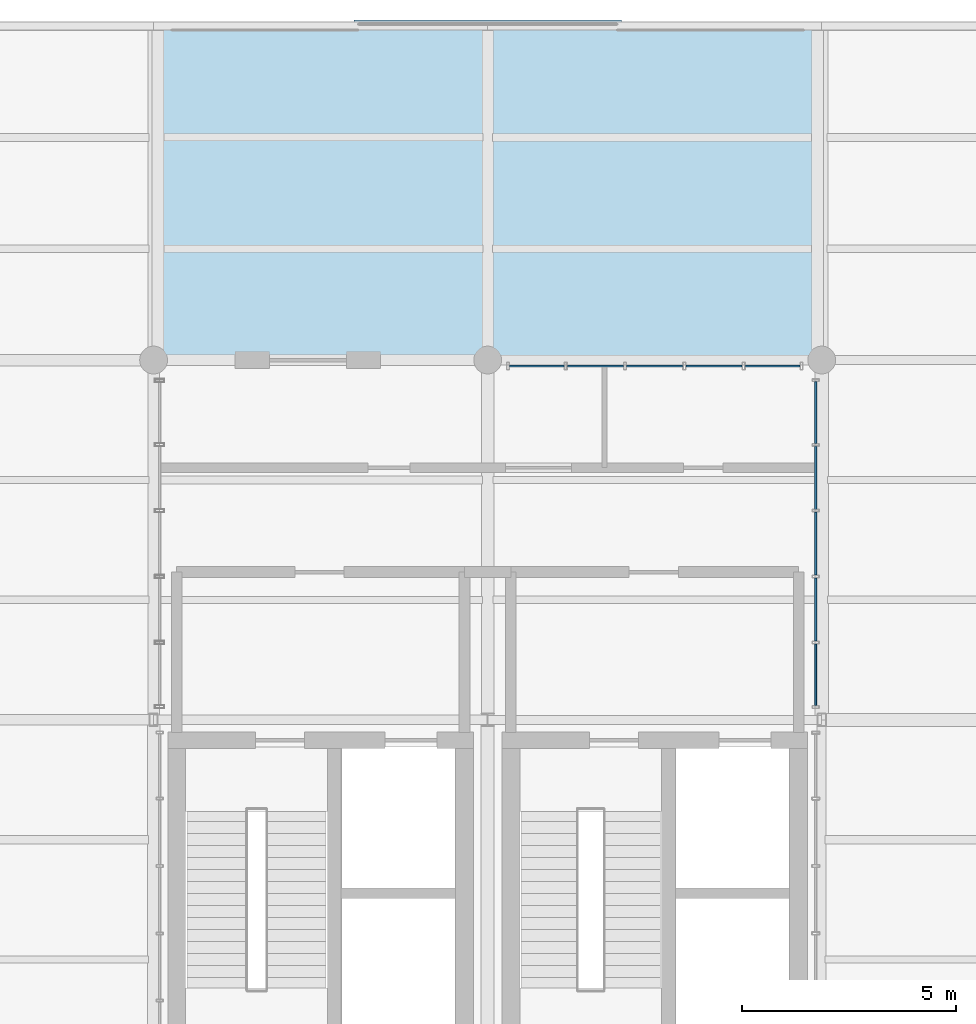
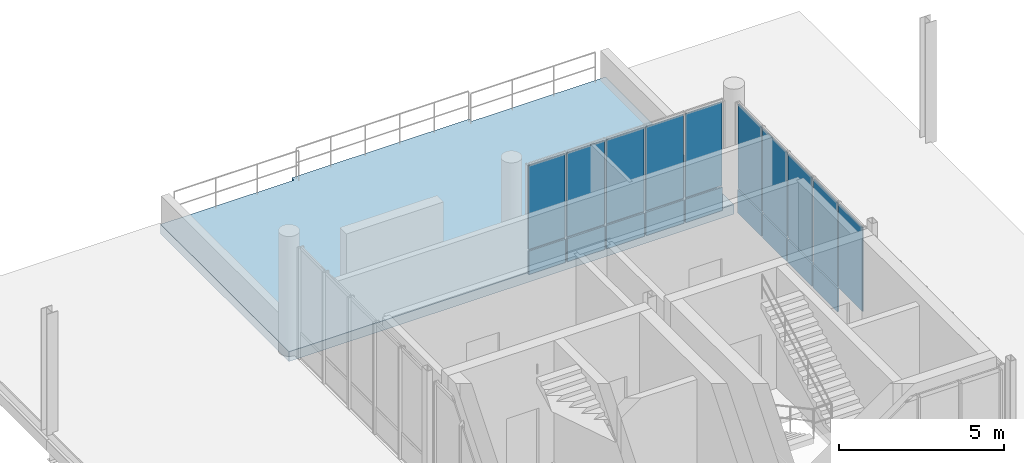
# One storey, part 55 of 66: 19 plates, 1 slab, 2 elements without a shape of their own.
"""IFC4 building model written with IfcOpenShell, lengths in metres."""

from ifc_helpers import new_model, si_unit, direction, frame, frame_2d, origin_with_axes, place, context, subcontext, project, spatial, polyline, rectangle, outline, extrude, material, layer, layer_set, type_object, element, aggregate, save


model = new_model("IFC4")

# Units and contexts
model_context = context("Model", 3, precision=1e-05, world=origin_with_axes(), true_north=direction((0.0, 1.0)))
body_context = subcontext(model_context, "Body", "Model", "MODEL_VIEW")
ifc_project = project(units=[si_unit("LENGTHUNIT", "METRE"), si_unit("AREAUNIT", "SQUARE_METRE"), si_unit("VOLUMEUNIT", "CUBIC_METRE"), si_unit("PLANEANGLEUNIT", "RADIAN"), si_unit("MASSUNIT", "GRAM", prefix="KILO"), si_unit("THERMODYNAMICTEMPERATUREUNIT", "KELVIN")], contexts=[model_context])

# Site, building, storey
site_placement = place(None, origin_with_axes())
site = spatial("IfcSite", under=ifc_project, at=site_placement, CompositionType="ELEMENT")
building_placement = place(site_placement, origin_with_axes())
building = spatial("IfcBuilding", under=site, at=building_placement, Name="Montbau Bow Law Courts", CompositionType="ELEMENT")
storey_placement = place(building_placement, frame((0.0, 0.0, 34.5), z_axis=(0.0, 0.0, 1.0), x_axis=(1.0, 0.0, 0.0)))
storey = spatial("IfcBuildingStorey", under=building, at=storey_placement, Name="L07", CompositionType="ELEMENT", Elevation=34.5)

# Curtain wall, plates
ifc_material_1 = material(Name="Thermally Broken Extruded Aluminium AA 6063-T6", Category="aluminium")
curtain_wall_type = type_object("IfcCurtainWallType", Name="CW-NCK-03", PredefinedType="NOTDEFINED", material=ifc_material_1)
curtain_wall_1_placement = place(None, frame((155.24, 103.06, 34.5), z_axis=(0.0, 0.0, 1.0), x_axis=(1.0, 0.0, 0.0)))
curtain_wall_1 = element("IfcCurtainWall", 1, at=curtain_wall_1_placement, inside=storey, type_object=curtain_wall_type, Name="CW-L07-367:cw_0367", PredefinedType="NOTDEFINED")
ifc_material_2 = material(Name="Insulated Ceramic-Frit Spandrel Glazing Unit", Category="glass")
ifc_layer_1 = layer(ifc_material_2, 0.056, Name="Curtain Panel", Category="glass")
ifc_layer_set_1 = layer_set([ifc_layer_1], Name="Insulated Ceramic-Frit Spandrel Glazing Unit")
plate_type_1 = type_object("IfcPlateType", Name="PL-CWP-02", PredefinedType="CURTAIN_PANEL", material=ifc_layer_set_1)
plate_1_placement = place(None, frame((155.308, 103.06, 34.558), z_axis=(0.0, -1.0, 0.0), x_axis=(1.0, 0.0, 0.0)))
plate_1 = element("IfcPlate", 2, at=plate_1_placement, type_object=plate_type_1, Name="CW-L07-367-P01-1:cw_0367_P01_1", PredefinedType="CURTAIN_PANEL", context=body_context, shape_type="SweptSolid", body=[
    extrude(rectangle(XDim=1.281, YDim=0.862, at=frame_2d((0.6405, 0.431), x_axis=(1.0, 0.0))), frame((0.0, 0.0, -0.028), z_axis=(0.0, 0.0, 1.0), x_axis=(1.0, 0.0, 0.0)), (0.0, 0.0, 1.0), 0.056),
])
plate_2_placement = place(None, frame((156.658, 103.06, 34.558), z_axis=(0.0, -1.0, 0.0), x_axis=(1.0, 0.0, 0.0)))
plate_2 = element("IfcPlate", 3, at=plate_2_placement, type_object=plate_type_1, Name="CW-L07-367-P02-1:cw_0367_P02_1", PredefinedType="CURTAIN_PANEL", context=body_context, shape_type="SweptSolid", body=[
    extrude(rectangle(XDim=1.315, YDim=0.862, at=frame_2d((0.6575, 0.431), x_axis=(1.0, 0.0))), frame((0.0, 0.0, -0.028), z_axis=(0.0, 0.0, 1.0), x_axis=(1.0, 0.0, 0.0)), (0.0, 0.0, 1.0), 0.056),
])
plate_3_placement = place(None, frame((158.042, 103.06, 34.558), z_axis=(0.0, -1.0, 0.0), x_axis=(1.0, 0.0, 0.0)))
plate_3 = element("IfcPlate", 4, at=plate_3_placement, type_object=plate_type_1, Name="CW-L07-367-P03-1:cw_0367_P03_1", PredefinedType="CURTAIN_PANEL", context=body_context, shape_type="SweptSolid", body=[
    extrude(rectangle(XDim=1.316, YDim=0.862, at=frame_2d((0.658, 0.431), x_axis=(1.0, 0.0))), frame((0.0, 0.0, -0.028), z_axis=(0.0, 0.0, 1.0), x_axis=(1.0, 0.0, 0.0)), (0.0, 0.0, 1.0), 0.056),
])
plate_4_placement = place(None, frame((159.426, 103.06, 34.558), z_axis=(0.0, -1.0, 0.0), x_axis=(1.0, 0.0, 0.0)))
plate_4 = element("IfcPlate", 5, at=plate_4_placement, type_object=plate_type_1, Name="CW-L07-367-P04-1:cw_0367_P04_1", PredefinedType="CURTAIN_PANEL", context=body_context, shape_type="SweptSolid", body=[
    extrude(rectangle(XDim=1.316, YDim=0.862, at=frame_2d((0.658, 0.431), x_axis=(1.0, 0.0))), frame((0.0, 0.0, -0.028), z_axis=(0.0, 0.0, 1.0), x_axis=(1.0, 0.0, 0.0)), (0.0, 0.0, 1.0), 0.056),
])
plate_5_placement = place(None, frame((160.81, 103.06, 34.558), z_axis=(0.0, -1.0, 0.0), x_axis=(1.0, 0.0, 0.0)))
plate_5 = element("IfcPlate", 6, at=plate_5_placement, type_object=plate_type_1, Name="CW-L07-367-P05-1:cw_0367_P05_1", PredefinedType="CURTAIN_PANEL", context=body_context, shape_type="SweptSolid", body=[
    extrude(rectangle(XDim=1.283, YDim=0.862, at=frame_2d((0.6415, 0.431), x_axis=(1.0, 0.0))), frame((0.0, 0.0, -0.028), z_axis=(0.0, 0.0, 1.0), x_axis=(1.0, 0.0, 0.0)), (0.0, 0.0, 1.0), 0.056),
])

curtain_wall_2_placement = place(None, frame((162.46, 95.067, 34.5), z_axis=(0.0, 0.0, 1.0), x_axis=(1.0, 0.0, 0.0)))
curtain_wall_2 = element("IfcCurtainWall", 7, at=curtain_wall_2_placement, inside=storey, type_object=curtain_wall_type, Name="CW-L07-371:cw_0371", PredefinedType="NOTDEFINED")
plate_6_placement = place(None, frame((162.46, 96.638, 34.558), z_axis=(1.0, 0.0, 0.0), x_axis=(0.0, 1.0, 0.0)))
plate_6 = element("IfcPlate", 8, at=plate_6_placement, type_object=plate_type_1, Name="CW-L07-371-P02-1:cw_0371_P02_1", PredefinedType="CURTAIN_PANEL", context=body_context, shape_type="SweptSolid", body=[
    extrude(rectangle(XDim=1.474, YDim=0.862, at=frame_2d((0.737, 0.431), x_axis=(1.0, 0.0))), frame((0.0, 0.0, -0.028), z_axis=(0.0, 0.0, 1.0), x_axis=(1.0, 0.0, 0.0)), (0.0, 0.0, 1.0), 0.056),
])
plate_7_placement = place(None, frame((162.46, 98.176, 34.558), z_axis=(1.0, 0.0, 0.0), x_axis=(0.0, 1.0, 0.0)))
plate_7 = element("IfcPlate", 9, at=plate_7_placement, type_object=plate_type_1, Name="CW-L07-371-P03-1:cw_0371_P03_1", PredefinedType="CURTAIN_PANEL", context=body_context, shape_type="SweptSolid", body=[
    extrude(rectangle(XDim=1.475, YDim=0.862, at=frame_2d((0.7375, 0.431), x_axis=(1.0, 0.0))), frame((0.0, 0.0, -0.028), z_axis=(0.0, 0.0, 1.0), x_axis=(1.0, 0.0, 0.0)), (0.0, 0.0, 1.0), 0.056),
])
plate_8_placement = place(None, frame((162.46, 99.715, 34.558), z_axis=(1.0, 0.0, 0.0), x_axis=(0.0, 1.0, 0.0)))
plate_8 = element("IfcPlate", 10, at=plate_8_placement, type_object=plate_type_1, Name="CW-L07-371-P04-1:cw_0371_P04_1", PredefinedType="CURTAIN_PANEL", context=body_context, shape_type="SweptSolid", body=[
    extrude(rectangle(XDim=1.474, YDim=0.862, at=frame_2d((0.737, 0.431), x_axis=(1.0, 0.0))), frame((0.0, 0.0, -0.028), z_axis=(0.0, 0.0, 1.0), x_axis=(1.0, 0.0, 0.0)), (0.0, 0.0, 1.0), 0.056),
])
plate_9_placement = place(None, frame((162.46, 101.253, 34.558), z_axis=(1.0, 0.0, 0.0), x_axis=(0.0, 1.0, 0.0)))
plate_9 = element("IfcPlate", 11, at=plate_9_placement, type_object=plate_type_1, Name="CW-L07-371-P05-1:cw_0371_P05_1", PredefinedType="CURTAIN_PANEL", context=body_context, shape_type="SweptSolid", body=[
    extrude(rectangle(XDim=1.445, YDim=0.862, at=frame_2d((0.7225, 0.431), x_axis=(1.0, 0.0))), frame((0.0, 0.0, -0.028), z_axis=(0.0, 0.0, 1.0), x_axis=(1.0, 0.0, 0.0)), (0.0, 0.0, 1.0), 0.056),
])

# Plate
ifc_material_3 = material(Name="Triple-Glazed Winter-Garden Vision Unit", Category="glass")
ifc_layer_2 = layer(ifc_material_3, 0.036, Name="Curtain Panel", Category="glass")
ifc_layer_set_2 = layer_set([ifc_layer_2], Name="Triple-Glazed Winter-Garden Vision Unit")
plate_type_2 = type_object("IfcPlateType", Name="PL-CWP-03", PredefinedType="CURTAIN_PANEL", material=ifc_layer_set_2)
plate_10_placement = place(None, frame((155.308, 103.06, 35.48), z_axis=(0.0, -1.0, 0.0), x_axis=(1.0, 0.0, 0.0)))
plate_10 = element("IfcPlate", 12, at=plate_10_placement, type_object=plate_type_2, Name="CW-L07-367-P01-2:cw_0367_P01_2", PredefinedType="CURTAIN_PANEL", context=body_context, shape_type="SweptSolid", body=[
    extrude(rectangle(XDim=1.281, YDim=3.102, at=frame_2d((0.6405, 1.551), x_axis=(1.0, 0.0))), frame((0.0, 0.0, -0.018), z_axis=(0.0, 0.0, 1.0), x_axis=(1.0, 0.0, 0.0)), (0.0, 0.0, 1.0), 0.036),
])

plate_11_placement = place(None, frame((156.658, 103.06, 35.48), z_axis=(0.0, -1.0, 0.0), x_axis=(1.0, 0.0, 0.0)))
plate_11 = element("IfcPlate", 13, at=plate_11_placement, type_object=plate_type_2, Name="CW-L07-367-P02-2:cw_0367_P02_2", PredefinedType="CURTAIN_PANEL", context=body_context, shape_type="SweptSolid", body=[
    extrude(rectangle(XDim=1.315, YDim=3.102, at=frame_2d((0.6575, 1.551), x_axis=(1.0, 0.0))), frame((0.0, 0.0, -0.018), z_axis=(0.0, 0.0, 1.0), x_axis=(1.0, 0.0, 0.0)), (0.0, 0.0, 1.0), 0.036),
])

plate_12_placement = place(None, frame((158.042, 103.06, 35.48), z_axis=(0.0, -1.0, 0.0), x_axis=(1.0, 0.0, 0.0)))
plate_12 = element("IfcPlate", 14, at=plate_12_placement, type_object=plate_type_2, Name="CW-L07-367-P03-2:cw_0367_P03_2", PredefinedType="CURTAIN_PANEL", context=body_context, shape_type="SweptSolid", body=[
    extrude(rectangle(XDim=1.316, YDim=3.102, at=frame_2d((0.658, 1.551), x_axis=(1.0, 0.0))), frame((0.0, 0.0, -0.018), z_axis=(0.0, 0.0, 1.0), x_axis=(1.0, 0.0, 0.0)), (0.0, 0.0, 1.0), 0.036),
])

plate_13_placement = place(None, frame((159.426, 103.06, 35.48), z_axis=(0.0, -1.0, 0.0), x_axis=(1.0, 0.0, 0.0)))
plate_13 = element("IfcPlate", 15, at=plate_13_placement, type_object=plate_type_2, Name="CW-L07-367-P04-2:cw_0367_P04_2", PredefinedType="CURTAIN_PANEL", context=body_context, shape_type="SweptSolid", body=[
    extrude(rectangle(XDim=1.316, YDim=3.102, at=frame_2d((0.658, 1.551), x_axis=(1.0, 0.0))), frame((0.0, 0.0, -0.018), z_axis=(0.0, 0.0, 1.0), x_axis=(1.0, 0.0, 0.0)), (0.0, 0.0, 1.0), 0.036),
])

plate_14_placement = place(None, frame((160.81, 103.06, 35.48), z_axis=(0.0, -1.0, 0.0), x_axis=(1.0, 0.0, 0.0)))
plate_14 = element("IfcPlate", 16, at=plate_14_placement, type_object=plate_type_2, Name="CW-L07-367-P05-2:cw_0367_P05_2", PredefinedType="CURTAIN_PANEL", context=body_context, shape_type="SweptSolid", body=[
    extrude(rectangle(XDim=1.283, YDim=3.102, at=frame_2d((0.6415, 1.551), x_axis=(1.0, 0.0))), frame((0.0, 0.0, -0.018), z_axis=(0.0, 0.0, 1.0), x_axis=(1.0, 0.0, 0.0)), (0.0, 0.0, 1.0), 0.036),
])

aggregate(curtain_wall_1, [plate_1, plate_10, plate_2, plate_11, plate_3, plate_12, plate_4, plate_13, plate_5, plate_14])

plate_15_placement = place(None, frame((162.46, 95.129, 35.48), z_axis=(1.0, 0.0, 0.0), x_axis=(0.0, 1.0, 0.0)))
plate_15 = element("IfcPlate", 17, at=plate_15_placement, type_object=plate_type_2, Name="CW-L07-371-P01-2:cw_0371_P01_2", PredefinedType="CURTAIN_PANEL", context=body_context, shape_type="SweptSolid", body=[
    extrude(rectangle(XDim=1.445, YDim=3.102, at=frame_2d((0.7225, 1.551), x_axis=(1.0, 0.0))), frame((0.0, 0.0, -0.018), z_axis=(0.0, 0.0, 1.0), x_axis=(1.0, 0.0, 0.0)), (0.0, 0.0, 1.0), 0.036),
])

plate_16_placement = place(None, frame((162.46, 96.638, 35.48), z_axis=(1.0, 0.0, 0.0), x_axis=(0.0, 1.0, 0.0)))
plate_16 = element("IfcPlate", 18, at=plate_16_placement, type_object=plate_type_2, Name="CW-L07-371-P02-2:cw_0371_P02_2", PredefinedType="CURTAIN_PANEL", context=body_context, shape_type="SweptSolid", body=[
    extrude(rectangle(XDim=1.474, YDim=3.102, at=frame_2d((0.737, 1.551), x_axis=(1.0, 0.0))), frame((0.0, 0.0, -0.018), z_axis=(0.0, 0.0, 1.0), x_axis=(1.0, 0.0, 0.0)), (0.0, 0.0, 1.0), 0.036),
])

plate_17_placement = place(None, frame((162.46, 98.176, 35.48), z_axis=(1.0, 0.0, 0.0), x_axis=(0.0, 1.0, 0.0)))
plate_17 = element("IfcPlate", 19, at=plate_17_placement, type_object=plate_type_2, Name="CW-L07-371-P03-2:cw_0371_P03_2", PredefinedType="CURTAIN_PANEL", context=body_context, shape_type="SweptSolid", body=[
    extrude(rectangle(XDim=1.475, YDim=3.102, at=frame_2d((0.7375, 1.551), x_axis=(1.0, 0.0))), frame((0.0, 0.0, -0.018), z_axis=(0.0, 0.0, 1.0), x_axis=(1.0, 0.0, 0.0)), (0.0, 0.0, 1.0), 0.036),
])

plate_18_placement = place(None, frame((162.46, 99.715, 35.48), z_axis=(1.0, 0.0, 0.0), x_axis=(0.0, 1.0, 0.0)))
plate_18 = element("IfcPlate", 20, at=plate_18_placement, type_object=plate_type_2, Name="CW-L07-371-P04-2:cw_0371_P04_2", PredefinedType="CURTAIN_PANEL", context=body_context, shape_type="SweptSolid", body=[
    extrude(rectangle(XDim=1.474, YDim=3.102, at=frame_2d((0.737, 1.551), x_axis=(1.0, 0.0))), frame((0.0, 0.0, -0.018), z_axis=(0.0, 0.0, 1.0), x_axis=(1.0, 0.0, 0.0)), (0.0, 0.0, 1.0), 0.036),
])

plate_19_placement = place(None, frame((162.46, 101.253, 35.48), z_axis=(1.0, 0.0, 0.0), x_axis=(0.0, 1.0, 0.0)))
plate_19 = element("IfcPlate", 21, at=plate_19_placement, type_object=plate_type_2, Name="CW-L07-371-P05-2:cw_0371_P05_2", PredefinedType="CURTAIN_PANEL", context=body_context, shape_type="SweptSolid", body=[
    extrude(rectangle(XDim=1.445, YDim=3.102, at=frame_2d((0.7225, 1.551), x_axis=(1.0, 0.0))), frame((0.0, 0.0, -0.018), z_axis=(0.0, 0.0, 1.0), x_axis=(1.0, 0.0, 0.0)), (0.0, 0.0, 1.0), 0.036),
])

aggregate(curtain_wall_2, [plate_15, plate_6, plate_16, plate_7, plate_17, plate_8, plate_18, plate_9, plate_19])

# Slab
ifc_material_4 = material(Name="Concrete CSA A23.1 f'c 40 MPa", Category="concrete")
ifc_layer_3 = layer(ifc_material_4, 0.36, Name="Floor Slab", Category="concrete")
ifc_layer_set_3 = layer_set([ifc_layer_3], Name="Concrete CSA A23.1 f'c 40 MPa")
slab_type = type_object("IfcSlabType", Name="SL-TER-02", PredefinedType="FLOOR", material=ifc_layer_set_3)
slab_placement = place(None, frame((0.0, 0.0, 34.14), z_axis=(0.0, 0.0, 1.0), x_axis=(1.0, 0.0, 0.0)))
element("IfcSlab", 22, at=slab_placement, inside=storey, type_object=slab_type, Name="TER-L07-V5:slb_0045", PredefinedType="FLOOR", context=body_context, shape_type="SweptSolid", body=[
    extrude(outline(polyline([(147.0, 103.204), (162.6, 103.204), (162.6, 111.0), (157.92, 111.0), (157.92, 111.14), (151.68, 111.14), (151.68, 111.0), (147.0, 111.0), (147.0, 103.204)])), origin_with_axes(), (0.0, 0.0, 1.0), 0.36),
])

save(model, "model.ifc")
